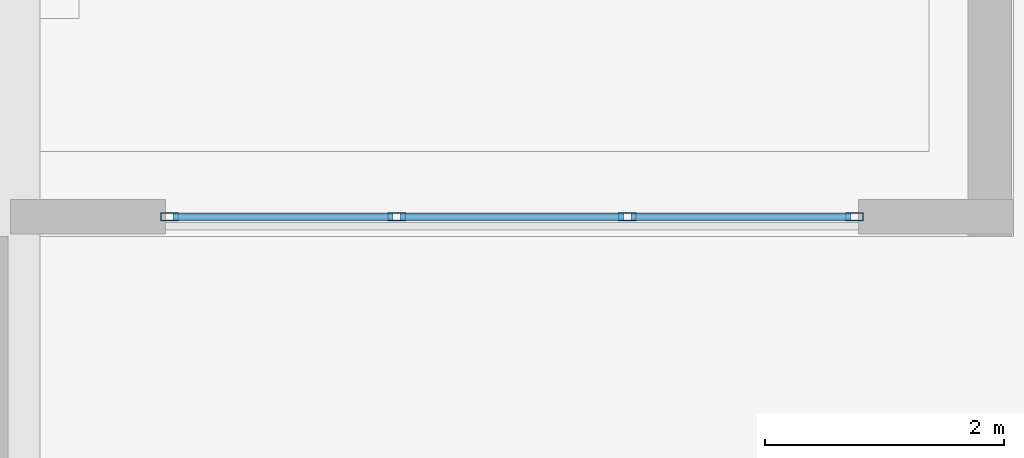
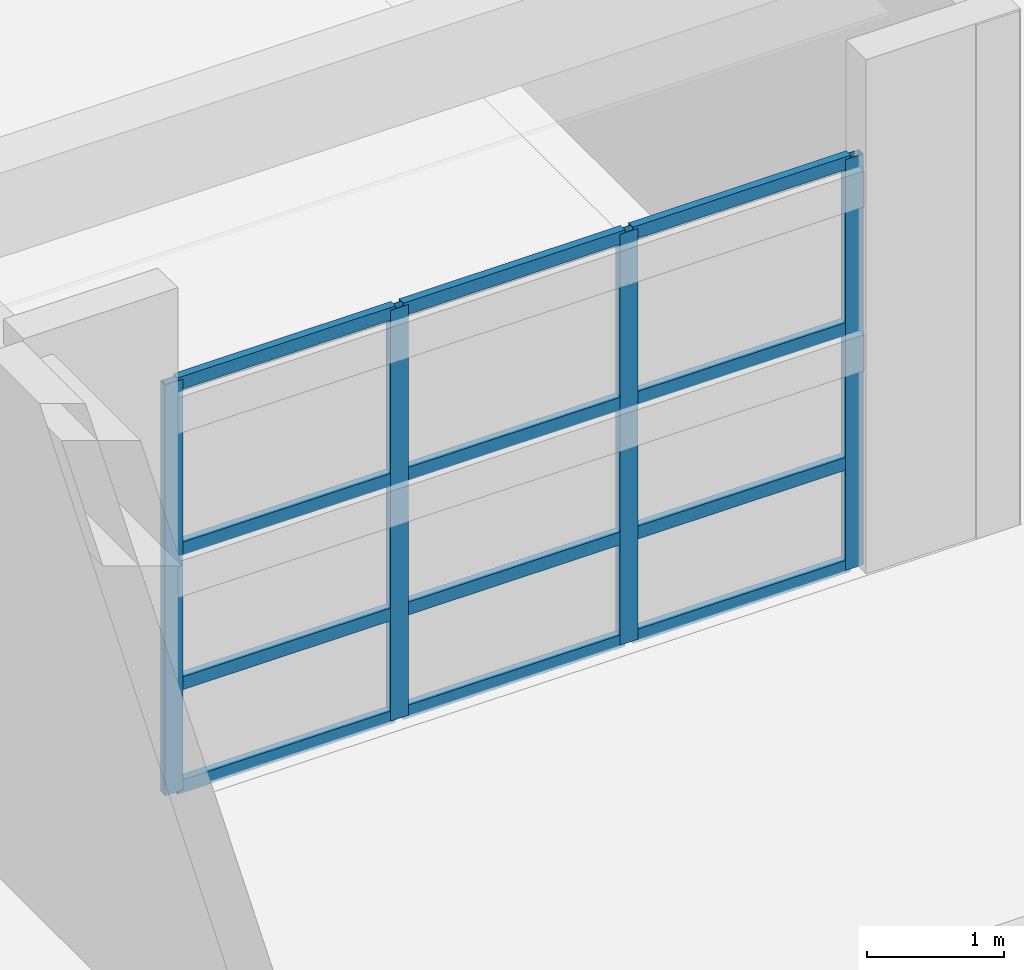
# One storey, part 56 of 123: 16 members, 1 element without a shape of its own.
"""IFC4 building model written with IfcOpenShell, lengths in metres."""

from ifc_helpers import new_model, si_unit, direction, frame, origin, origin_2d, place, context, subcontext, project, spatial, hollow_rectangle, extrude, material, layer, layer_set, material_profile, profile_set, type_object, element, aggregate, save


model = new_model("IFC4")

# Units and contexts
model_context = context("Model", 3, precision=1e-05, world=origin(), true_north=direction((0.0, 1.0)))
body_context = subcontext(model_context, "Body", "Model", "MODEL_VIEW")
ifc_project = project(units=[si_unit("LENGTHUNIT", "METRE"), si_unit("AREAUNIT", "SQUARE_METRE"), si_unit("VOLUMEUNIT", "CUBIC_METRE"), si_unit("PLANEANGLEUNIT", "RADIAN"), si_unit("MASSUNIT", "GRAM", prefix="KILO")], contexts=[model_context])

# Site, building, storey
site_placement = place(None, origin())
site = spatial("IfcSite", under=ifc_project, at=site_placement, CompositionType="ELEMENT")
building_placement = place(site_placement, origin())
building = spatial("IfcBuilding", under=site, at=building_placement, Name="Quendrovan Civic Courthouse", CompositionType="ELEMENT")
storey_placement = place(building_placement, frame((0.0, 0.0, 5.39990234375)))
storey = spatial("IfcBuildingStorey", under=building, at=storey_placement, Name="L02", CompositionType="ELEMENT", Elevation=5.39990234375)

# Curtain wall, members
ifc_material_1 = material(Name="Bronze anodised aluminium and low-E glass", Category="aluminium")
ifc_layer = layer(ifc_material_1, 0.179931640625, Name="Bronze anodised aluminium and low-E glass")
ifc_layer_set = layer_set([ifc_layer], Name="Bronze anodised aluminium and low-E glass")
curtain_wall_type = type_object("IfcCurtainWallType", Name="CW-U58x37", PredefinedType="USERDEFINED", material=ifc_layer_set)
curtain_wall_placement = place(storey_placement, origin())
curtain_wall = element("IfcCurtainWall", 1, at=curtain_wall_placement, inside=storey, type_object=curtain_wall_type, Name="L02 Unitised Hurricane Curtain Wall CW-105", ObjectType="UNITISED CURTAIN WALL", PredefinedType="USERDEFINED")
ifc_material_2 = material(Name="Bronze anodised aluminium", Category="aluminium")
ifc_material_profile_1 = material_profile(ifc_material_2, hollow_rectangle(XDim=0.06494140625, YDim=0.14990234375, WallThickness=0.00390625, at=origin_2d()), Name="CW-MULL-65x150")
ifc_profile_set_1 = profile_set([ifc_material_profile_1], Name="Bronze anodised aluminium")
member_type_1 = type_object("IfcMemberType", Name="CW-MULL-B", PredefinedType="MULLION", material=ifc_profile_set_1)
member_1_placement = place(storey_placement, frame((107.867431640625, 70.965087890625, 0.0), z_axis=(0.0, 0.0, 1.0), x_axis=(0.0, -1.0, 0.0)))
member_1 = element("IfcMember", 2, at=member_1_placement, type_object=member_type_1, Name="CW-105 mullion 1", PredefinedType="MULLION", context=body_context, shape_type="SweptSolid", body=[
    extrude(hollow_rectangle(XDim=0.06494140625, YDim=0.14990234375, WallThickness=0.00390625, at=origin_2d()), origin(), (0.0, 0.0, 1.0), 3.66015625),
])
member_2_placement = place(storey_placement, frame((105.966552734375, 70.965087890625, 0.0), z_axis=(0.0, 0.0, 1.0), x_axis=(0.0, -1.0, 0.0)))
member_2 = element("IfcMember", 3, at=member_2_placement, type_object=member_type_1, Name="CW-105 mullion 2", PredefinedType="MULLION", context=body_context, shape_type="SweptSolid", body=[
    extrude(hollow_rectangle(XDim=0.06494140625, YDim=0.14990234375, WallThickness=0.00390625, at=origin_2d()), origin(), (0.0, 0.0, 1.0), 3.66015625),
])
member_3_placement = place(storey_placement, frame((104.033447265625, 70.965087890625, 0.0), z_axis=(0.0, 0.0, 1.0), x_axis=(0.0, -1.0, 0.0)))
member_3 = element("IfcMember", 4, at=member_3_placement, type_object=member_type_1, Name="CW-105 mullion 3", PredefinedType="MULLION", context=body_context, shape_type="SweptSolid", body=[
    extrude(hollow_rectangle(XDim=0.06494140625, YDim=0.14990234375, WallThickness=0.00390625, at=origin_2d()), origin(), (0.0, 0.0, 1.0), 3.66015625),
])
member_4_placement = place(storey_placement, frame((102.132568359375, 70.965087890625, 0.0), z_axis=(0.0, 0.0, 1.0), x_axis=(0.0, -1.0, 0.0)))
member_4 = element("IfcMember", 5, at=member_4_placement, type_object=member_type_1, Name="CW-105 mullion 4", PredefinedType="MULLION", context=body_context, shape_type="SweptSolid", body=[
    extrude(hollow_rectangle(XDim=0.06494140625, YDim=0.14990234375, WallThickness=0.00390625, at=origin_2d()), origin(), (0.0, 0.0, 1.0), 3.66015625),
])
ifc_material_profile_2 = material_profile(ifc_material_2, hollow_rectangle(XDim=0.06494140625, YDim=0.114990234375, WallThickness=0.00390625, at=origin_2d()), Name="CW-TRAN-65x115")
ifc_profile_set_2 = profile_set([ifc_material_profile_2], Name="Bronze anodised aluminium")
member_type_2 = type_object("IfcMemberType", Name="CW-TRAN-B", PredefinedType="USERDEFINED", material=ifc_profile_set_2)
member_5_placement = place(storey_placement, frame((107.8349609375, 70.965087890625, 0.03271484375), z_axis=(-1.0, 0.0, 0.0), x_axis=(0.0, -1.0, 0.0)))
member_5 = element("IfcMember", 6, at=member_5_placement, type_object=member_type_2, Name="CW-105 transom 1.1", ObjectType="TRANSOM", PredefinedType="USERDEFINED", context=body_context, shape_type="SweptSolid", body=[
    extrude(hollow_rectangle(XDim=0.06494140625, YDim=0.114990234375, WallThickness=0.00390625, at=origin_2d()), origin(), (0.0, 0.0, 1.0), 1.835693359375),
])
member_6_placement = place(storey_placement, frame((107.8349609375, 70.965087890625, 0.9501953125), z_axis=(-1.0, 0.0, 0.0), x_axis=(0.0, -1.0, 0.0)))
member_6 = element("IfcMember", 7, at=member_6_placement, type_object=member_type_2, Name="CW-105 transom 1.2", ObjectType="TRANSOM", PredefinedType="USERDEFINED", context=body_context, shape_type="SweptSolid", body=[
    extrude(hollow_rectangle(XDim=0.06494140625, YDim=0.114990234375, WallThickness=0.00390625, at=origin_2d()), origin(), (0.0, 0.0, 1.0), 1.835693359375),
])
member_7_placement = place(storey_placement, frame((107.8349609375, 70.965087890625, 2.150146484375), z_axis=(-1.0, 0.0, 0.0), x_axis=(0.0, -1.0, 0.0)))
member_7 = element("IfcMember", 8, at=member_7_placement, type_object=member_type_2, Name="CW-105 transom 1.3", ObjectType="TRANSOM", PredefinedType="USERDEFINED", context=body_context, shape_type="SweptSolid", body=[
    extrude(hollow_rectangle(XDim=0.06494140625, YDim=0.114990234375, WallThickness=0.00390625, at=origin_2d()), origin(), (0.0, 0.0, 1.0), 1.835693359375),
])
member_8_placement = place(storey_placement, frame((107.8349609375, 70.965087890625, 3.627685546875), z_axis=(-1.0, 0.0, 0.0), x_axis=(0.0, -1.0, 0.0)))
member_8 = element("IfcMember", 9, at=member_8_placement, type_object=member_type_2, Name="CW-105 transom 1.4", ObjectType="TRANSOM", PredefinedType="USERDEFINED", context=body_context, shape_type="SweptSolid", body=[
    extrude(hollow_rectangle(XDim=0.06494140625, YDim=0.114990234375, WallThickness=0.00390625, at=origin_2d()), origin(), (0.0, 0.0, 1.0), 1.835693359375),
])
member_9_placement = place(storey_placement, frame((105.93408203125, 70.965087890625, 0.03271484375), z_axis=(-1.0, 0.0, 0.0), x_axis=(0.0, -1.0, 0.0)))
member_9 = element("IfcMember", 10, at=member_9_placement, type_object=member_type_2, Name="CW-105 transom 2.1", ObjectType="TRANSOM", PredefinedType="USERDEFINED", context=body_context, shape_type="SweptSolid", body=[
    extrude(hollow_rectangle(XDim=0.06494140625, YDim=0.114990234375, WallThickness=0.00390625, at=origin_2d()), origin(), (0.0, 0.0, 1.0), 1.8681640625),
])
member_10_placement = place(storey_placement, frame((105.93408203125, 70.965087890625, 0.9501953125), z_axis=(-1.0, 0.0, 0.0), x_axis=(0.0, -1.0, 0.0)))
member_10 = element("IfcMember", 11, at=member_10_placement, type_object=member_type_2, Name="CW-105 transom 2.2", ObjectType="TRANSOM", PredefinedType="USERDEFINED", context=body_context, shape_type="SweptSolid", body=[
    extrude(hollow_rectangle(XDim=0.06494140625, YDim=0.114990234375, WallThickness=0.00390625, at=origin_2d()), origin(), (0.0, 0.0, 1.0), 1.8681640625),
])
member_11_placement = place(storey_placement, frame((105.93408203125, 70.965087890625, 2.150146484375), z_axis=(-1.0, 0.0, 0.0), x_axis=(0.0, -1.0, 0.0)))
member_11 = element("IfcMember", 12, at=member_11_placement, type_object=member_type_2, Name="CW-105 transom 2.3", ObjectType="TRANSOM", PredefinedType="USERDEFINED", context=body_context, shape_type="SweptSolid", body=[
    extrude(hollow_rectangle(XDim=0.06494140625, YDim=0.114990234375, WallThickness=0.00390625, at=origin_2d()), origin(), (0.0, 0.0, 1.0), 1.8681640625),
])
member_12_placement = place(storey_placement, frame((105.93408203125, 70.965087890625, 3.627685546875), z_axis=(-1.0, 0.0, 0.0), x_axis=(0.0, -1.0, 0.0)))
member_12 = element("IfcMember", 13, at=member_12_placement, type_object=member_type_2, Name="CW-105 transom 2.4", ObjectType="TRANSOM", PredefinedType="USERDEFINED", context=body_context, shape_type="SweptSolid", body=[
    extrude(hollow_rectangle(XDim=0.06494140625, YDim=0.114990234375, WallThickness=0.00390625, at=origin_2d()), origin(), (0.0, 0.0, 1.0), 1.8681640625),
])
member_13_placement = place(storey_placement, frame((104.000732421875, 70.965087890625, 0.03271484375), z_axis=(-1.0, 0.0, 0.0), x_axis=(0.0, -1.0, 0.0)))
member_13 = element("IfcMember", 14, at=member_13_placement, type_object=member_type_2, Name="CW-105 transom 3.1", ObjectType="TRANSOM", PredefinedType="USERDEFINED", context=body_context, shape_type="SweptSolid", body=[
    extrude(hollow_rectangle(XDim=0.06494140625, YDim=0.114990234375, WallThickness=0.00390625, at=origin_2d()), origin(), (0.0, 0.0, 1.0), 1.835693359375),
])
member_14_placement = place(storey_placement, frame((104.000732421875, 70.965087890625, 0.9501953125), z_axis=(-1.0, 0.0, 0.0), x_axis=(0.0, -1.0, 0.0)))
member_14 = element("IfcMember", 15, at=member_14_placement, type_object=member_type_2, Name="CW-105 transom 3.2", ObjectType="TRANSOM", PredefinedType="USERDEFINED", context=body_context, shape_type="SweptSolid", body=[
    extrude(hollow_rectangle(XDim=0.06494140625, YDim=0.114990234375, WallThickness=0.00390625, at=origin_2d()), origin(), (0.0, 0.0, 1.0), 1.835693359375),
])
member_15_placement = place(storey_placement, frame((104.000732421875, 70.965087890625, 2.150146484375), z_axis=(-1.0, 0.0, 0.0), x_axis=(0.0, -1.0, 0.0)))
member_15 = element("IfcMember", 16, at=member_15_placement, type_object=member_type_2, Name="CW-105 transom 3.3", ObjectType="TRANSOM", PredefinedType="USERDEFINED", context=body_context, shape_type="SweptSolid", body=[
    extrude(hollow_rectangle(XDim=0.06494140625, YDim=0.114990234375, WallThickness=0.00390625, at=origin_2d()), origin(), (0.0, 0.0, 1.0), 1.835693359375),
])
member_16_placement = place(storey_placement, frame((104.000732421875, 70.965087890625, 3.627685546875), z_axis=(-1.0, 0.0, 0.0), x_axis=(0.0, -1.0, 0.0)))
member_16 = element("IfcMember", 17, at=member_16_placement, type_object=member_type_2, Name="CW-105 transom 3.4", ObjectType="TRANSOM", PredefinedType="USERDEFINED", context=body_context, shape_type="SweptSolid", body=[
    extrude(hollow_rectangle(XDim=0.06494140625, YDim=0.114990234375, WallThickness=0.00390625, at=origin_2d()), origin(), (0.0, 0.0, 1.0), 1.835693359375),
])
aggregate(curtain_wall, [member_1, member_2, member_3, member_4, member_5, member_6, member_7, member_8, member_9, member_10, member_11, member_12, member_13, member_14, member_15, member_16])

save(model, "model.ifc")
